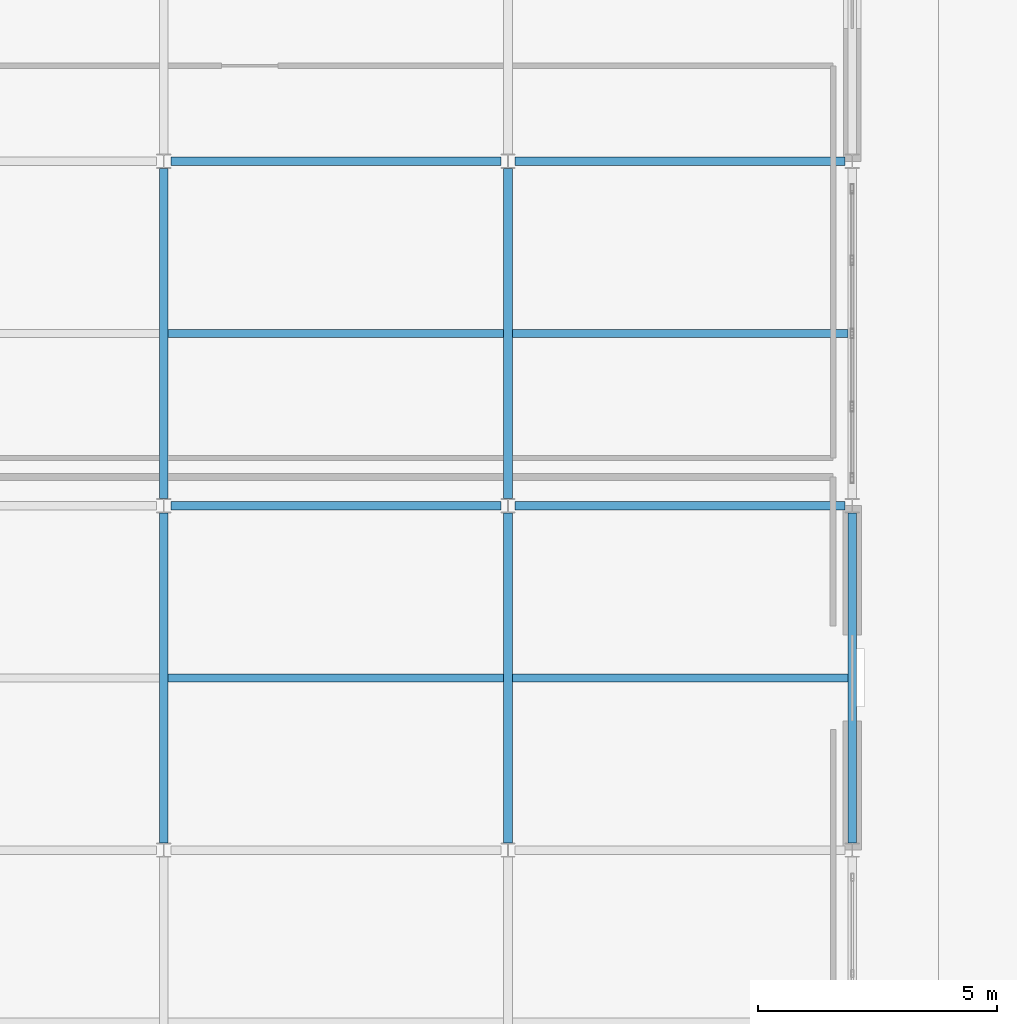
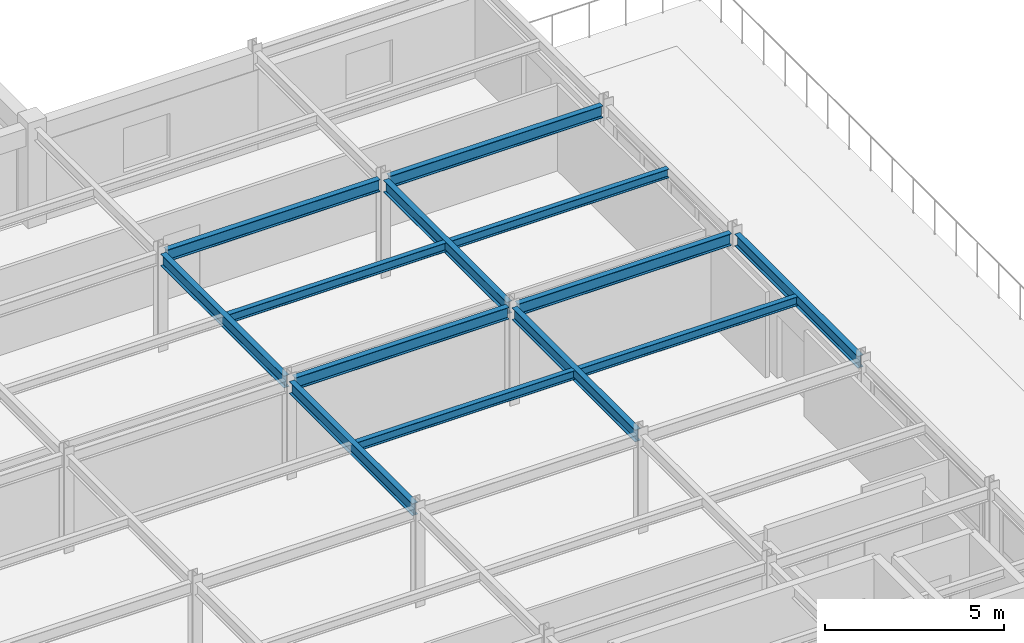
# One storey, part 46 of 73: 13 beams.
"""IFC4 building model written with IfcOpenShell, lengths in metres."""

from ifc_helpers import new_model, si_unit, direction, frame, origin, origin_2d, place, context, subcontext, project, spatial, i_section, extrude, material, material_profile, profile_set, type_object, element, save


model = new_model("IFC4")

# Units and contexts
model_context = context("Model", 3, precision=1e-05, world=origin(), true_north=direction((0.0, 1.0)))
body_context = subcontext(model_context, "Body", "Model", "MODEL_VIEW")
ifc_project = project(units=[si_unit("LENGTHUNIT", "METRE"), si_unit("AREAUNIT", "SQUARE_METRE"), si_unit("VOLUMEUNIT", "CUBIC_METRE"), si_unit("PLANEANGLEUNIT", "RADIAN"), si_unit("MASSUNIT", "GRAM", prefix="KILO")], contexts=[model_context])

# Site, building, storey
site_placement = place(None, origin())
site = spatial("IfcSite", under=ifc_project, at=site_placement, CompositionType="ELEMENT")
building_placement = place(site_placement, origin())
building = spatial("IfcBuilding", under=site, at=building_placement, Name="Carrowvane Square Congress Hotel", CompositionType="ELEMENT")
storey_placement = place(building_placement, frame((0.0, 0.0, 19.199951171875)))
storey = spatial("IfcBuildingStorey", under=building, at=storey_placement, Name="L04", CompositionType="ELEMENT", Elevation=19.199951171875)

# Beams
ifc_material_1 = material(Name="Steel S355", Category="steel")
ifc_material_profile_1 = material_profile(ifc_material_1, i_section(OverallWidth=0.165771484375, OverallDepth=0.306640625, WebThickness=0.006591796875, FlangeThickness=0.01171875, FilletRadius=0.0087890625, at=origin_2d()), Name="UKB 305x165x46")
ifc_profile_set_1 = profile_set([ifc_material_profile_1], Name="Steel S355")
beam_type_1 = type_object("IfcBeamType", Name="BM-ST-UKB305", PredefinedType="JOIST", material=ifc_profile_set_1)
for number, where, z_axis, x_axis, name in (
    (1, (162.889404296875, 73.800048828125, 3.19677734375), (1.0, 0.0, 0.0), (0.0, 1.0, 0.0), "L05 secondary joist 22-23"),
    (2, (162.889404296875, 81.0, 3.19677734375), (1.0, 0.0, 0.0), (0.0, 1.0, 0.0), "L05 secondary joist 22-23"),
    (3, (170.08935546875, 73.800048828125, 3.19677734375), (1.0, 0.0, 0.0), (0.0, 1.0, 0.0), "L05 secondary joist 23-24"),
    (4, (170.08935546875, 81.0, 3.19677734375), (1.0, 0.0, 0.0), (0.0, 1.0, 0.0), "L05 secondary joist 23-24"),
):
    element("IfcBeam", number, at=place(storey_placement, frame(where, z_axis=z_axis, x_axis=x_axis)), inside=storey, type_object=beam_type_1, Name=name, PredefinedType="JOIST", context=body_context, shape_type="SweptSolid", body=[
        extrude(i_section(OverallWidth=0.165771484375, OverallDepth=0.306640625, WebThickness=0.006591796875, FlangeThickness=0.01171875, FilletRadius=0.0087890625, at=origin_2d()), origin(), (0.0, 0.0, 1.0), 7.021240234375),
    ])
ifc_material_2 = material(Name="Steel S355", Category="steel")
ifc_material_profile_2 = material_profile(ifc_material_2, i_section(OverallWidth=0.1787109375, OverallDepth=0.409423828125, WebThickness=0.0087890625, FlangeThickness=0.014404296875, FilletRadius=0.01025390625, at=origin_2d()), Name="UKB 406x178x67")
ifc_profile_set_2 = profile_set([ifc_material_profile_2], Name="Steel S355")
beam_type_2 = type_object("IfcBeamType", Name="BM-ST-UKB406", PredefinedType="BEAM", material=ifc_profile_set_2)
for number, where, z_axis, x_axis, name in (
    (5, (162.949951171875, 77.39990234375, 3.145263671875), (1.0, 0.0, 0.0), (0.0, 1.0, 0.0), "L05 girder L/22-23"),
    (6, (170.14990234375, 77.39990234375, 3.145263671875), (1.0, 0.0, 0.0), (0.0, 1.0, 0.0), "L05 girder L/23-24"),
    (7, (162.949951171875, 84.60009765625, 3.145263671875), (1.0, 0.0, 0.0), (0.0, 1.0, 0.0), "L05 girder M/22-23"),
    (8, (170.14990234375, 84.60009765625, 3.145263671875), (1.0, 0.0, 0.0), (0.0, 1.0, 0.0), "L05 girder M/23-24"),
):
    element("IfcBeam", number, at=place(storey_placement, frame(where, z_axis=z_axis, x_axis=x_axis)), inside=storey, type_object=beam_type_2, Name=name, PredefinedType="BEAM", context=body_context, shape_type="SweptSolid", body=[
        extrude(i_section(OverallWidth=0.1787109375, OverallDepth=0.409423828125, WebThickness=0.0087890625, FlangeThickness=0.014404296875, FilletRadius=0.01025390625, at=origin_2d()), origin(), (0.0, 0.0, 1.0), 6.900146484375),
    ])
for number, where, z_axis, x_axis, name in (
    (9, (162.800048828125, 70.35009765625, 3.145263671875), (0.0, 1.0, 0.0), (-1.0, 0.0, 0.0), "L05 girder 22/K-L"),
    (10, (162.800048828125, 77.550048828125, 3.145263671875), (0.0, 1.0, 0.0), (-1.0, 0.0, 0.0), "L05 girder 22/L-M"),
    (11, (170.0, 70.35009765625, 3.145263671875), (0.0, 1.0, 0.0), (-1.0, 0.0, 0.0), "L05 girder 23/K-L"),
    (12, (170.0, 77.550048828125, 3.145263671875), (0.0, 1.0, 0.0), (-1.0, 0.0, 0.0), "L05 girder 23/L-M"),
    (13, (177.199951171875, 70.35009765625, 3.145263671875), (0.0, 1.0, 0.0), (-1.0, 0.0, 0.0), "L05 girder 24/K-L"),
):
    element("IfcBeam", number, at=place(storey_placement, frame(where, z_axis=z_axis, x_axis=x_axis)), inside=storey, type_object=beam_type_2, Name=name, PredefinedType="BEAM", context=body_context, shape_type="SweptSolid", body=[
        extrude(i_section(OverallWidth=0.1787109375, OverallDepth=0.409423828125, WebThickness=0.0087890625, FlangeThickness=0.014404296875, FilletRadius=0.01025390625, at=origin_2d()), origin(), (0.0, 0.0, 1.0), 6.89990234375),
    ])

save(model, "model.ifc")
